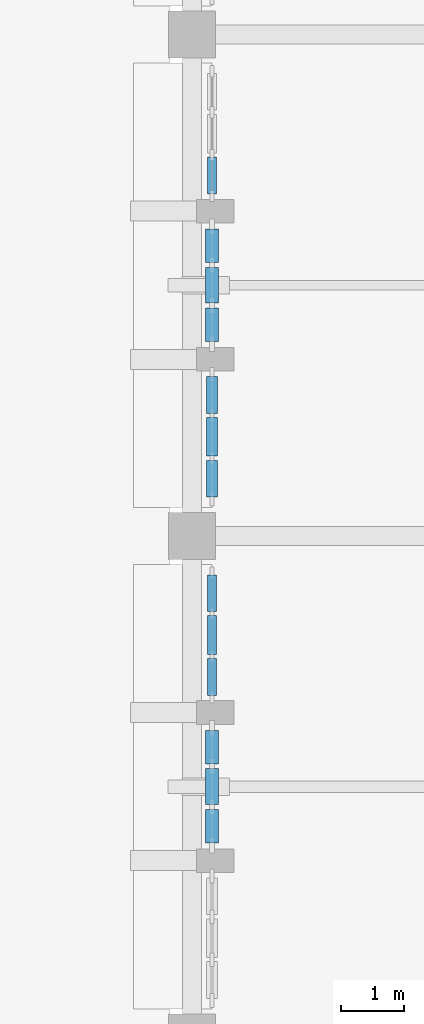
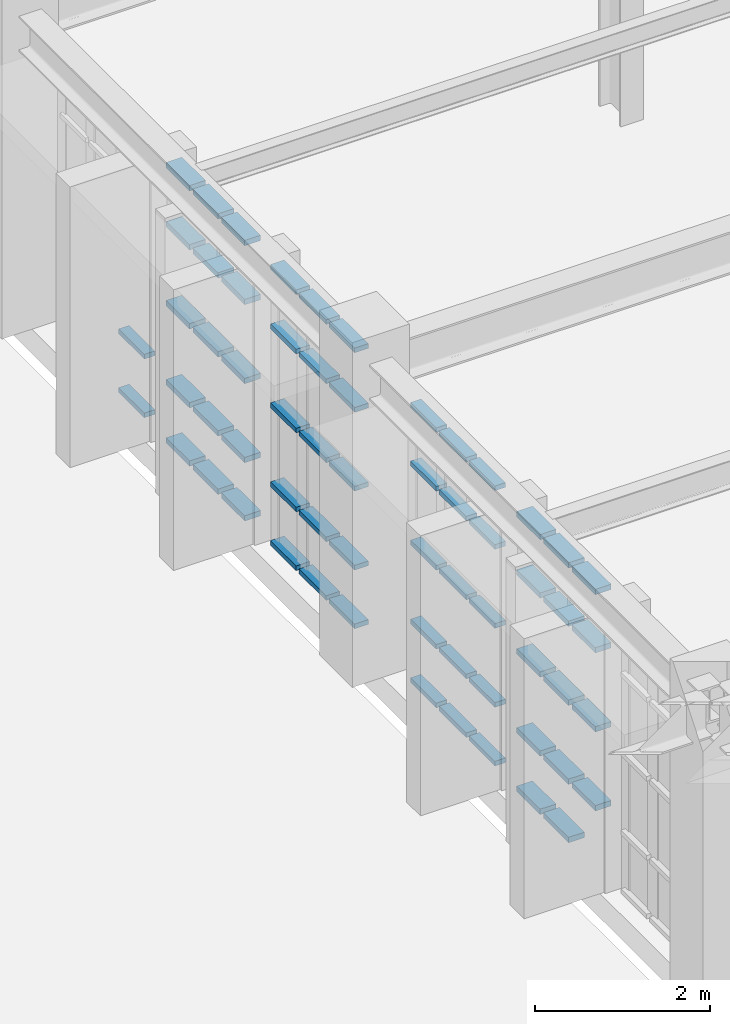
# One storey, part 80 of 155: 61 members, 5 elements without a shape of their own.
"""IFC4 building model written with IfcOpenShell, lengths in metres."""

from ifc_helpers import new_model, si_unit, direction, frame, origin, origin_2d, place, context, subcontext, project, spatial, rectangle, extrude, material, layer, layer_set, material_profile, profile_set, type_object, element, aggregate, save


model = new_model("IFC4")

# Units and contexts
model_context = context("Model", 3, precision=1e-05, world=origin(), true_north=direction((0.0, 1.0)))
body_context = subcontext(model_context, "Body", "Model", "MODEL_VIEW")
ifc_project = project(units=[si_unit("LENGTHUNIT", "METRE"), si_unit("AREAUNIT", "SQUARE_METRE"), si_unit("VOLUMEUNIT", "CUBIC_METRE"), si_unit("PLANEANGLEUNIT", "RADIAN"), si_unit("MASSUNIT", "GRAM", prefix="KILO")], contexts=[model_context])

# Site, building, storey
site_placement = place(None, origin())
site = spatial("IfcSite", under=ifc_project, at=site_placement, CompositionType="ELEMENT")
building_placement = place(site_placement, origin())
building = spatial("IfcBuilding", under=site, at=building_placement, Name="Tazarka Park Arena", CompositionType="ELEMENT")
storey_placement = place(building_placement, frame((0.0, 0.0, 5.39990234375)))
storey = spatial("IfcBuildingStorey", under=building, at=storey_placement, Name="L01", CompositionType="ELEMENT", Elevation=5.39990234375)

# Curtain wall, members
ifc_material_1 = material(Name="Aluminium and low-e glass", Category="aluminium")
ifc_layer_1 = layer(ifc_material_1, 0.179931640625, Name="Aluminium and low-e glass")
ifc_layer_set_1 = layer_set([ifc_layer_1], Name="Aluminium and low-e glass")
curtain_wall_type_1 = type_object("IfcCurtainWallType", Name="CW-03", PredefinedType="NOTDEFINED", material=ifc_layer_set_1)
curtain_wall_1_placement = place(storey_placement, origin())
curtain_wall_1 = element("IfcCurtainWall", 1, at=curtain_wall_1_placement, inside=storey, type_object=curtain_wall_type_1, Name="Curtain Wall CWA-L01-153", PredefinedType="NOTDEFINED")
ifc_material_2 = material(Name="Aluminium 6060-T66", Category="aluminium")
ifc_material_profile_1 = material_profile(ifc_material_2, rectangle(XDim=0.139892578125, YDim=0.06494140625, at=origin_2d()), Name="Aluminium 6060-T66")
ifc_profile_set_1 = profile_set([ifc_material_profile_1], Name="Aluminium 6060-T66")
member_type_1 = type_object("IfcMemberType", Name="CWT-01", PredefinedType="USERDEFINED", material=ifc_profile_set_1)
member_1_placement = place(storey_placement, frame((136.320068359375, 93.456787109375, 0.03271484375), z_axis=(0.0, 1.0, 0.0), x_axis=(-1.0, 0.0, 0.0)))
member_1 = element("IfcMember", 2, at=member_1_placement, type_object=member_type_1, Name="CW-03 transom 1.1", ObjectType="TRANSOM", PredefinedType="USERDEFINED", context=body_context, shape_type="SweptSolid", body=[
    extrude(rectangle(XDim=0.139892578125, YDim=0.06494140625, at=origin_2d()), origin(), (0.0, 0.0, 1.0), 0.5869140625),
])
member_2_placement = place(storey_placement, frame((136.320068359375, 93.456787109375, 0.85009765625), z_axis=(0.0, 1.0, 0.0), x_axis=(-1.0, 0.0, 0.0)))
member_2 = element("IfcMember", 3, at=member_2_placement, type_object=member_type_1, Name="CW-03 transom 1.2", ObjectType="TRANSOM", PredefinedType="USERDEFINED", context=body_context, shape_type="SweptSolid", body=[
    extrude(rectangle(XDim=0.139892578125, YDim=0.06494140625, at=origin_2d()), origin(), (0.0, 0.0, 1.0), 0.5869140625),
])
aggregate(curtain_wall_1, [member_1, member_2])

ifc_material_3 = material(Name="Aluminium and low-e glass", Category="aluminium")
ifc_layer_2 = layer(ifc_material_3, 0.179931640625, Name="Aluminium and low-e glass")
ifc_layer_set_2 = layer_set([ifc_layer_2], Name="Aluminium and low-e glass")
curtain_wall_type_2 = type_object("IfcCurtainWallType", Name="CW-06", PredefinedType="NOTDEFINED", material=ifc_layer_set_2)
curtain_wall_2_placement = place(storey_placement, origin())
curtain_wall_2 = element("IfcCurtainWall", 4, at=curtain_wall_2_placement, inside=storey, type_object=curtain_wall_type_2, Name="Curtain Wall CWA-L01-156", PredefinedType="NOTDEFINED")
member_3_placement = place(storey_placement, frame((136.320068359375, 85.456787109375, 0.03271484375), z_axis=(0.0, 1.0, 0.0), x_axis=(-1.0, 0.0, 0.0)))
member_3 = element("IfcMember", 5, at=member_3_placement, type_object=member_type_1, Name="CW-06 transom 1.1", ObjectType="TRANSOM", PredefinedType="USERDEFINED", context=body_context, shape_type="SweptSolid", body=[
    extrude(rectangle(XDim=0.139892578125, YDim=0.06494140625, at=origin_2d()), origin(), (0.0, 0.0, 1.0), 0.5869140625),
])
member_4_placement = place(storey_placement, frame((136.320068359375, 85.456787109375, 0.85009765625), z_axis=(0.0, 1.0, 0.0), x_axis=(-1.0, 0.0, 0.0)))
member_4 = element("IfcMember", 6, at=member_4_placement, type_object=member_type_1, Name="CW-06 transom 1.2", ObjectType="TRANSOM", PredefinedType="USERDEFINED", context=body_context, shape_type="SweptSolid", body=[
    extrude(rectangle(XDim=0.139892578125, YDim=0.06494140625, at=origin_2d()), origin(), (0.0, 0.0, 1.0), 0.5869140625),
])
member_5_placement = place(storey_placement, frame((136.320068359375, 85.456787109375, 1.9501953125), z_axis=(0.0, 1.0, 0.0), x_axis=(-1.0, 0.0, 0.0)))
member_5 = element("IfcMember", 7, at=member_5_placement, type_object=member_type_1, Name="CW-06 transom 1.3", ObjectType="TRANSOM", PredefinedType="USERDEFINED", context=body_context, shape_type="SweptSolid", body=[
    extrude(rectangle(XDim=0.139892578125, YDim=0.06494140625, at=origin_2d()), origin(), (0.0, 0.0, 1.0), 0.5869140625),
])
member_6_placement = place(storey_placement, frame((136.320068359375, 85.456787109375, 3.050048828125), z_axis=(0.0, 1.0, 0.0), x_axis=(-1.0, 0.0, 0.0)))
member_6 = element("IfcMember", 8, at=member_6_placement, type_object=member_type_1, Name="CW-06 transom 1.4", ObjectType="TRANSOM", PredefinedType="USERDEFINED", context=body_context, shape_type="SweptSolid", body=[
    extrude(rectangle(XDim=0.139892578125, YDim=0.06494140625, at=origin_2d()), origin(), (0.0, 0.0, 1.0), 0.5869140625),
])
member_7_placement = place(storey_placement, frame((136.320068359375, 85.456787109375, 3.86767578125), z_axis=(0.0, 1.0, 0.0), x_axis=(-1.0, 0.0, 0.0)))
member_7 = element("IfcMember", 9, at=member_7_placement, type_object=member_type_1, Name="CW-06 transom 1.5", ObjectType="TRANSOM", PredefinedType="USERDEFINED", context=body_context, shape_type="SweptSolid", body=[
    extrude(rectangle(XDim=0.139892578125, YDim=0.06494140625, at=origin_2d()), origin(), (0.0, 0.0, 1.0), 0.5869140625),
])
member_8_placement = place(storey_placement, frame((136.320068359375, 86.108642578125, 0.03271484375), z_axis=(0.0, 1.0, 0.0), x_axis=(-1.0, 0.0, 0.0)))
member_8 = element("IfcMember", 10, at=member_8_placement, type_object=member_type_1, Name="CW-06 transom 2.1", ObjectType="TRANSOM", PredefinedType="USERDEFINED", context=body_context, shape_type="SweptSolid", body=[
    extrude(rectangle(XDim=0.139892578125, YDim=0.06494140625, at=origin_2d()), origin(), (0.0, 0.0, 1.0), 0.619384765625),
])
member_9_placement = place(storey_placement, frame((136.320068359375, 86.108642578125, 0.85009765625), z_axis=(0.0, 1.0, 0.0), x_axis=(-1.0, 0.0, 0.0)))
member_9 = element("IfcMember", 11, at=member_9_placement, type_object=member_type_1, Name="CW-06 transom 2.2", ObjectType="TRANSOM", PredefinedType="USERDEFINED", context=body_context, shape_type="SweptSolid", body=[
    extrude(rectangle(XDim=0.139892578125, YDim=0.06494140625, at=origin_2d()), origin(), (0.0, 0.0, 1.0), 0.619384765625),
])
member_10_placement = place(storey_placement, frame((136.320068359375, 86.108642578125, 1.9501953125), z_axis=(0.0, 1.0, 0.0), x_axis=(-1.0, 0.0, 0.0)))
member_10 = element("IfcMember", 12, at=member_10_placement, type_object=member_type_1, Name="CW-06 transom 2.3", ObjectType="TRANSOM", PredefinedType="USERDEFINED", context=body_context, shape_type="SweptSolid", body=[
    extrude(rectangle(XDim=0.139892578125, YDim=0.06494140625, at=origin_2d()), origin(), (0.0, 0.0, 1.0), 0.619384765625),
])
member_11_placement = place(storey_placement, frame((136.320068359375, 86.108642578125, 3.050048828125), z_axis=(0.0, 1.0, 0.0), x_axis=(-1.0, 0.0, 0.0)))
member_11 = element("IfcMember", 13, at=member_11_placement, type_object=member_type_1, Name="CW-06 transom 2.4", ObjectType="TRANSOM", PredefinedType="USERDEFINED", context=body_context, shape_type="SweptSolid", body=[
    extrude(rectangle(XDim=0.139892578125, YDim=0.06494140625, at=origin_2d()), origin(), (0.0, 0.0, 1.0), 0.619384765625),
])
member_12_placement = place(storey_placement, frame((136.320068359375, 86.108642578125, 3.86767578125), z_axis=(0.0, 1.0, 0.0), x_axis=(-1.0, 0.0, 0.0)))
member_12 = element("IfcMember", 14, at=member_12_placement, type_object=member_type_1, Name="CW-06 transom 2.5", ObjectType="TRANSOM", PredefinedType="USERDEFINED", context=body_context, shape_type="SweptSolid", body=[
    extrude(rectangle(XDim=0.139892578125, YDim=0.06494140625, at=origin_2d()), origin(), (0.0, 0.0, 1.0), 0.619384765625),
])
member_13_placement = place(storey_placement, frame((136.320068359375, 86.79296875, 0.03271484375), z_axis=(0.0, 1.0, 0.0), x_axis=(-1.0, 0.0, 0.0)))
member_13 = element("IfcMember", 15, at=member_13_placement, type_object=member_type_1, Name="CW-06 transom 3.1", ObjectType="TRANSOM", PredefinedType="USERDEFINED", context=body_context, shape_type="SweptSolid", body=[
    extrude(rectangle(XDim=0.139892578125, YDim=0.06494140625, at=origin_2d()), origin(), (0.0, 0.0, 1.0), 0.5869140625),
])
member_14_placement = place(storey_placement, frame((136.320068359375, 86.79296875, 0.85009765625), z_axis=(0.0, 1.0, 0.0), x_axis=(-1.0, 0.0, 0.0)))
member_14 = element("IfcMember", 16, at=member_14_placement, type_object=member_type_1, Name="CW-06 transom 3.2", ObjectType="TRANSOM", PredefinedType="USERDEFINED", context=body_context, shape_type="SweptSolid", body=[
    extrude(rectangle(XDim=0.139892578125, YDim=0.06494140625, at=origin_2d()), origin(), (0.0, 0.0, 1.0), 0.5869140625),
])
member_15_placement = place(storey_placement, frame((136.320068359375, 86.79296875, 1.9501953125), z_axis=(0.0, 1.0, 0.0), x_axis=(-1.0, 0.0, 0.0)))
member_15 = element("IfcMember", 17, at=member_15_placement, type_object=member_type_1, Name="CW-06 transom 3.3", ObjectType="TRANSOM", PredefinedType="USERDEFINED", context=body_context, shape_type="SweptSolid", body=[
    extrude(rectangle(XDim=0.139892578125, YDim=0.06494140625, at=origin_2d()), origin(), (0.0, 0.0, 1.0), 0.5869140625),
])
member_16_placement = place(storey_placement, frame((136.320068359375, 86.79296875, 3.050048828125), z_axis=(0.0, 1.0, 0.0), x_axis=(-1.0, 0.0, 0.0)))
member_16 = element("IfcMember", 18, at=member_16_placement, type_object=member_type_1, Name="CW-06 transom 3.4", ObjectType="TRANSOM", PredefinedType="USERDEFINED", context=body_context, shape_type="SweptSolid", body=[
    extrude(rectangle(XDim=0.139892578125, YDim=0.06494140625, at=origin_2d()), origin(), (0.0, 0.0, 1.0), 0.5869140625),
])
member_17_placement = place(storey_placement, frame((136.320068359375, 86.79296875, 3.86767578125), z_axis=(0.0, 1.0, 0.0), x_axis=(-1.0, 0.0, 0.0)))
member_17 = element("IfcMember", 19, at=member_17_placement, type_object=member_type_1, Name="CW-06 transom 3.5", ObjectType="TRANSOM", PredefinedType="USERDEFINED", context=body_context, shape_type="SweptSolid", body=[
    extrude(rectangle(XDim=0.139892578125, YDim=0.06494140625, at=origin_2d()), origin(), (0.0, 0.0, 1.0), 0.5869140625),
])
aggregate(curtain_wall_2, [member_3, member_4, member_5, member_6, member_7, member_8, member_9, member_10, member_11, member_12, member_13, member_14, member_15, member_16, member_17])

ifc_material_4 = material(Name="Aluminium and low-e glass", Category="aluminium")
ifc_layer_3 = layer(ifc_material_4, 0.179931640625, Name="Aluminium and low-e glass")
ifc_layer_set_3 = layer_set([ifc_layer_3], Name="Aluminium and low-e glass")
curtain_wall_type_3 = type_object("IfcCurtainWallType", Name="CW-01", PredefinedType="NOTDEFINED", material=ifc_layer_set_3)
curtain_wall_3_placement = place(storey_placement, origin())
curtain_wall_3 = element("IfcCurtainWall", 20, at=curtain_wall_3_placement, inside=storey, type_object=curtain_wall_type_3, Name="Curtain Wall CWA-L01-151", PredefinedType="NOTDEFINED")
ifc_material_5 = material(Name="Aluminium 6060-T66", Category="aluminium")
ifc_material_profile_2 = material_profile(ifc_material_5, rectangle(XDim=0.179931640625, YDim=0.06494140625, at=origin_2d()), Name="Aluminium 6060-T66")
ifc_profile_set_2 = profile_set([ifc_material_profile_2], Name="Aluminium 6060-T66")
member_type_2 = type_object("IfcMemberType", Name="CWT-02", PredefinedType="USERDEFINED", material=ifc_profile_set_2)
member_18_placement = place(storey_placement, frame((136.320068359375, 88.6201171875, 0.03271484375), z_axis=(0.0, 1.0, 0.0), x_axis=(-1.0, 0.0, 0.0)))
member_18 = element("IfcMember", 21, at=member_18_placement, type_object=member_type_2, Name="CW-01 transom 1.1", ObjectType="TRANSOM", PredefinedType="USERDEFINED", context=body_context, shape_type="SweptSolid", body=[
    extrude(rectangle(XDim=0.179931640625, YDim=0.06494140625, at=origin_2d()), origin(), (0.0, 0.0, 1.0), 0.5869140625),
])
member_19_placement = place(storey_placement, frame((136.320068359375, 88.6201171875, 0.85009765625), z_axis=(0.0, 1.0, 0.0), x_axis=(-1.0, 0.0, 0.0)))
member_19 = element("IfcMember", 22, at=member_19_placement, type_object=member_type_2, Name="CW-01 transom 1.2", ObjectType="TRANSOM", PredefinedType="USERDEFINED", context=body_context, shape_type="SweptSolid", body=[
    extrude(rectangle(XDim=0.179931640625, YDim=0.06494140625, at=origin_2d()), origin(), (0.0, 0.0, 1.0), 0.5869140625),
])
member_20_placement = place(storey_placement, frame((136.320068359375, 88.6201171875, 1.9501953125), z_axis=(0.0, 1.0, 0.0), x_axis=(-1.0, 0.0, 0.0)))
member_20 = element("IfcMember", 23, at=member_20_placement, type_object=member_type_2, Name="CW-01 transom 1.3", ObjectType="TRANSOM", PredefinedType="USERDEFINED", context=body_context, shape_type="SweptSolid", body=[
    extrude(rectangle(XDim=0.179931640625, YDim=0.06494140625, at=origin_2d()), origin(), (0.0, 0.0, 1.0), 0.5869140625),
])
member_21_placement = place(storey_placement, frame((136.320068359375, 88.6201171875, 3.050048828125), z_axis=(0.0, 1.0, 0.0), x_axis=(-1.0, 0.0, 0.0)))
member_21 = element("IfcMember", 24, at=member_21_placement, type_object=member_type_2, Name="CW-01 transom 1.4", ObjectType="TRANSOM", PredefinedType="USERDEFINED", context=body_context, shape_type="SweptSolid", body=[
    extrude(rectangle(XDim=0.179931640625, YDim=0.06494140625, at=origin_2d()), origin(), (0.0, 0.0, 1.0), 0.5869140625),
])
member_22_placement = place(storey_placement, frame((136.320068359375, 88.6201171875, 3.877685546875), z_axis=(0.0, 1.0, 0.0), x_axis=(-1.0, 0.0, 0.0)))
member_22 = element("IfcMember", 25, at=member_22_placement, type_object=member_type_2, Name="CW-01 transom 1.5", ObjectType="TRANSOM", PredefinedType="USERDEFINED", context=body_context, shape_type="SweptSolid", body=[
    extrude(rectangle(XDim=0.179931640625, YDim=0.06494140625, at=origin_2d()), origin(), (0.0, 0.0, 1.0), 0.5869140625),
])
member_23_placement = place(storey_placement, frame((136.320068359375, 89.27197265625, 0.03271484375), z_axis=(0.0, 1.0, 0.0), x_axis=(-1.0, 0.0, 0.0)))
member_23 = element("IfcMember", 26, at=member_23_placement, type_object=member_type_2, Name="CW-01 transom 2.1", ObjectType="TRANSOM", PredefinedType="USERDEFINED", context=body_context, shape_type="SweptSolid", body=[
    extrude(rectangle(XDim=0.179931640625, YDim=0.06494140625, at=origin_2d()), origin(), (0.0, 0.0, 1.0), 0.619384765625),
])
member_24_placement = place(storey_placement, frame((136.320068359375, 89.27197265625, 0.85009765625), z_axis=(0.0, 1.0, 0.0), x_axis=(-1.0, 0.0, 0.0)))
member_24 = element("IfcMember", 27, at=member_24_placement, type_object=member_type_2, Name="CW-01 transom 2.2", ObjectType="TRANSOM", PredefinedType="USERDEFINED", context=body_context, shape_type="SweptSolid", body=[
    extrude(rectangle(XDim=0.179931640625, YDim=0.06494140625, at=origin_2d()), origin(), (0.0, 0.0, 1.0), 0.619384765625),
])
member_25_placement = place(storey_placement, frame((136.320068359375, 89.27197265625, 1.9501953125), z_axis=(0.0, 1.0, 0.0), x_axis=(-1.0, 0.0, 0.0)))
member_25 = element("IfcMember", 28, at=member_25_placement, type_object=member_type_2, Name="CW-01 transom 2.3", ObjectType="TRANSOM", PredefinedType="USERDEFINED", context=body_context, shape_type="SweptSolid", body=[
    extrude(rectangle(XDim=0.179931640625, YDim=0.06494140625, at=origin_2d()), origin(), (0.0, 0.0, 1.0), 0.619384765625),
])
member_26_placement = place(storey_placement, frame((136.320068359375, 89.27197265625, 3.050048828125), z_axis=(0.0, 1.0, 0.0), x_axis=(-1.0, 0.0, 0.0)))
member_26 = element("IfcMember", 29, at=member_26_placement, type_object=member_type_2, Name="CW-01 transom 2.4", ObjectType="TRANSOM", PredefinedType="USERDEFINED", context=body_context, shape_type="SweptSolid", body=[
    extrude(rectangle(XDim=0.179931640625, YDim=0.06494140625, at=origin_2d()), origin(), (0.0, 0.0, 1.0), 0.619384765625),
])
member_27_placement = place(storey_placement, frame((136.320068359375, 89.27197265625, 3.877685546875), z_axis=(0.0, 1.0, 0.0), x_axis=(-1.0, 0.0, 0.0)))
member_27 = element("IfcMember", 30, at=member_27_placement, type_object=member_type_2, Name="CW-01 transom 2.5", ObjectType="TRANSOM", PredefinedType="USERDEFINED", context=body_context, shape_type="SweptSolid", body=[
    extrude(rectangle(XDim=0.179931640625, YDim=0.06494140625, at=origin_2d()), origin(), (0.0, 0.0, 1.0), 0.619384765625),
])
member_28_placement = place(storey_placement, frame((136.320068359375, 89.956298828125, 0.03271484375), z_axis=(0.0, 1.0, 0.0), x_axis=(-1.0, 0.0, 0.0)))
member_28 = element("IfcMember", 31, at=member_28_placement, type_object=member_type_2, Name="CW-01 transom 3.1", ObjectType="TRANSOM", PredefinedType="USERDEFINED", context=body_context, shape_type="SweptSolid", body=[
    extrude(rectangle(XDim=0.179931640625, YDim=0.06494140625, at=origin_2d()), origin(), (0.0, 0.0, 1.0), 0.5869140625),
])
member_29_placement = place(storey_placement, frame((136.320068359375, 89.956298828125, 0.85009765625), z_axis=(0.0, 1.0, 0.0), x_axis=(-1.0, 0.0, 0.0)))
member_29 = element("IfcMember", 32, at=member_29_placement, type_object=member_type_2, Name="CW-01 transom 3.2", ObjectType="TRANSOM", PredefinedType="USERDEFINED", context=body_context, shape_type="SweptSolid", body=[
    extrude(rectangle(XDim=0.179931640625, YDim=0.06494140625, at=origin_2d()), origin(), (0.0, 0.0, 1.0), 0.5869140625),
])
member_30_placement = place(storey_placement, frame((136.320068359375, 89.956298828125, 1.9501953125), z_axis=(0.0, 1.0, 0.0), x_axis=(-1.0, 0.0, 0.0)))
member_30 = element("IfcMember", 33, at=member_30_placement, type_object=member_type_2, Name="CW-01 transom 3.3", ObjectType="TRANSOM", PredefinedType="USERDEFINED", context=body_context, shape_type="SweptSolid", body=[
    extrude(rectangle(XDim=0.179931640625, YDim=0.06494140625, at=origin_2d()), origin(), (0.0, 0.0, 1.0), 0.5869140625),
])
member_31_placement = place(storey_placement, frame((136.320068359375, 89.956298828125, 3.050048828125), z_axis=(0.0, 1.0, 0.0), x_axis=(-1.0, 0.0, 0.0)))
member_31 = element("IfcMember", 34, at=member_31_placement, type_object=member_type_2, Name="CW-01 transom 3.4", ObjectType="TRANSOM", PredefinedType="USERDEFINED", context=body_context, shape_type="SweptSolid", body=[
    extrude(rectangle(XDim=0.179931640625, YDim=0.06494140625, at=origin_2d()), origin(), (0.0, 0.0, 1.0), 0.5869140625),
])
member_32_placement = place(storey_placement, frame((136.320068359375, 89.956298828125, 3.877685546875), z_axis=(0.0, 1.0, 0.0), x_axis=(-1.0, 0.0, 0.0)))
member_32 = element("IfcMember", 35, at=member_32_placement, type_object=member_type_2, Name="CW-01 transom 3.5", ObjectType="TRANSOM", PredefinedType="USERDEFINED", context=body_context, shape_type="SweptSolid", body=[
    extrude(rectangle(XDim=0.179931640625, YDim=0.06494140625, at=origin_2d()), origin(), (0.0, 0.0, 1.0), 0.5869140625),
])
aggregate(curtain_wall_3, [member_18, member_19, member_20, member_21, member_22, member_23, member_24, member_25, member_26, member_27, member_28, member_29, member_30, member_31, member_32])

ifc_material_6 = material(Name="Aluminium and low-e glass", Category="aluminium")
ifc_layer_4 = layer(ifc_material_6, 0.179931640625, Name="Aluminium and low-e glass")
ifc_layer_set_4 = layer_set([ifc_layer_4], Name="Aluminium and low-e glass")
curtain_wall_type_4 = type_object("IfcCurtainWallType", Name="CW-02", PredefinedType="NOTDEFINED", material=ifc_layer_set_4)
curtain_wall_4_placement = place(storey_placement, origin())
curtain_wall_4 = element("IfcCurtainWall", 36, at=curtain_wall_4_placement, inside=storey, type_object=curtain_wall_type_4, Name="Curtain Wall CWA-L01-152", PredefinedType="NOTDEFINED")
ifc_material_7 = material(Name="Aluminium 6060-T66", Category="aluminium")
ifc_material_profile_3 = material_profile(ifc_material_7, rectangle(XDim=0.2099609375, YDim=0.074951171875, at=origin_2d()), Name="Aluminium 6060-T66")
ifc_profile_set_3 = profile_set([ifc_material_profile_3], Name="Aluminium 6060-T66")
member_type_3 = type_object("IfcMemberType", Name="CWT-03", PredefinedType="USERDEFINED", material=ifc_profile_set_3)
member_33_placement = place(storey_placement, frame((136.320068359375, 91.103271484375, 0.03759765625), z_axis=(0.0, 1.0, 0.0), x_axis=(-1.0, 0.0, 0.0)))
member_33 = element("IfcMember", 37, at=member_33_placement, type_object=member_type_3, Name="CW-02 transom 1.1", ObjectType="TRANSOM", PredefinedType="USERDEFINED", context=body_context, shape_type="SweptSolid", body=[
    extrude(rectangle(XDim=0.2099609375, YDim=0.074951171875, at=origin_2d()), origin(), (0.0, 0.0, 1.0), 0.535400390625),
])
member_34_placement = place(storey_placement, frame((136.320068359375, 91.103271484375, 0.85009765625), z_axis=(0.0, 1.0, 0.0), x_axis=(-1.0, 0.0, 0.0)))
member_34 = element("IfcMember", 38, at=member_34_placement, type_object=member_type_3, Name="CW-02 transom 1.2", ObjectType="TRANSOM", PredefinedType="USERDEFINED", context=body_context, shape_type="SweptSolid", body=[
    extrude(rectangle(XDim=0.2099609375, YDim=0.074951171875, at=origin_2d()), origin(), (0.0, 0.0, 1.0), 0.535400390625),
])
member_35_placement = place(storey_placement, frame((136.320068359375, 91.103271484375, 1.9501953125), z_axis=(0.0, 1.0, 0.0), x_axis=(-1.0, 0.0, 0.0)))
member_35 = element("IfcMember", 39, at=member_35_placement, type_object=member_type_3, Name="CW-02 transom 1.3", ObjectType="TRANSOM", PredefinedType="USERDEFINED", context=body_context, shape_type="SweptSolid", body=[
    extrude(rectangle(XDim=0.2099609375, YDim=0.074951171875, at=origin_2d()), origin(), (0.0, 0.0, 1.0), 0.535400390625),
])
member_36_placement = place(storey_placement, frame((136.320068359375, 91.103271484375, 3.050048828125), z_axis=(0.0, 1.0, 0.0), x_axis=(-1.0, 0.0, 0.0)))
member_36 = element("IfcMember", 40, at=member_36_placement, type_object=member_type_3, Name="CW-02 transom 1.4", ObjectType="TRANSOM", PredefinedType="USERDEFINED", context=body_context, shape_type="SweptSolid", body=[
    extrude(rectangle(XDim=0.2099609375, YDim=0.074951171875, at=origin_2d()), origin(), (0.0, 0.0, 1.0), 0.535400390625),
])
member_37_placement = place(storey_placement, frame((136.320068359375, 91.103271484375, 3.87255859375), z_axis=(0.0, 1.0, 0.0), x_axis=(-1.0, 0.0, 0.0)))
member_37 = element("IfcMember", 41, at=member_37_placement, type_object=member_type_3, Name="CW-02 transom 1.5", ObjectType="TRANSOM", PredefinedType="USERDEFINED", context=body_context, shape_type="SweptSolid", body=[
    extrude(rectangle(XDim=0.2099609375, YDim=0.074951171875, at=origin_2d()), origin(), (0.0, 0.0, 1.0), 0.535400390625),
])
member_38_placement = place(storey_placement, frame((136.320068359375, 91.713623046875, 0.03759765625), z_axis=(0.0, 1.0, 0.0), x_axis=(-1.0, 0.0, 0.0)))
member_38 = element("IfcMember", 42, at=member_38_placement, type_object=member_type_3, Name="CW-02 transom 2.1", ObjectType="TRANSOM", PredefinedType="USERDEFINED", context=body_context, shape_type="SweptSolid", body=[
    extrude(rectangle(XDim=0.2099609375, YDim=0.074951171875, at=origin_2d()), origin(), (0.0, 0.0, 1.0), 0.57275390625),
])
member_39_placement = place(storey_placement, frame((136.320068359375, 91.713623046875, 0.85009765625), z_axis=(0.0, 1.0, 0.0), x_axis=(-1.0, 0.0, 0.0)))
member_39 = element("IfcMember", 43, at=member_39_placement, type_object=member_type_3, Name="CW-02 transom 2.2", ObjectType="TRANSOM", PredefinedType="USERDEFINED", context=body_context, shape_type="SweptSolid", body=[
    extrude(rectangle(XDim=0.2099609375, YDim=0.074951171875, at=origin_2d()), origin(), (0.0, 0.0, 1.0), 0.57275390625),
])
member_40_placement = place(storey_placement, frame((136.320068359375, 91.713623046875, 1.9501953125), z_axis=(0.0, 1.0, 0.0), x_axis=(-1.0, 0.0, 0.0)))
member_40 = element("IfcMember", 44, at=member_40_placement, type_object=member_type_3, Name="CW-02 transom 2.3", ObjectType="TRANSOM", PredefinedType="USERDEFINED", context=body_context, shape_type="SweptSolid", body=[
    extrude(rectangle(XDim=0.2099609375, YDim=0.074951171875, at=origin_2d()), origin(), (0.0, 0.0, 1.0), 0.57275390625),
])
member_41_placement = place(storey_placement, frame((136.320068359375, 91.713623046875, 3.050048828125), z_axis=(0.0, 1.0, 0.0), x_axis=(-1.0, 0.0, 0.0)))
member_41 = element("IfcMember", 45, at=member_41_placement, type_object=member_type_3, Name="CW-02 transom 2.4", ObjectType="TRANSOM", PredefinedType="USERDEFINED", context=body_context, shape_type="SweptSolid", body=[
    extrude(rectangle(XDim=0.2099609375, YDim=0.074951171875, at=origin_2d()), origin(), (0.0, 0.0, 1.0), 0.57275390625),
])
member_42_placement = place(storey_placement, frame((136.320068359375, 91.713623046875, 3.87255859375), z_axis=(0.0, 1.0, 0.0), x_axis=(-1.0, 0.0, 0.0)))
member_42 = element("IfcMember", 46, at=member_42_placement, type_object=member_type_3, Name="CW-02 transom 2.5", ObjectType="TRANSOM", PredefinedType="USERDEFINED", context=body_context, shape_type="SweptSolid", body=[
    extrude(rectangle(XDim=0.2099609375, YDim=0.074951171875, at=origin_2d()), origin(), (0.0, 0.0, 1.0), 0.57275390625),
])
member_43_placement = place(storey_placement, frame((136.320068359375, 92.361328125, 0.03759765625), z_axis=(0.0, 1.0, 0.0), x_axis=(-1.0, 0.0, 0.0)))
member_43 = element("IfcMember", 47, at=member_43_placement, type_object=member_type_3, Name="CW-02 transom 3.1", ObjectType="TRANSOM", PredefinedType="USERDEFINED", context=body_context, shape_type="SweptSolid", body=[
    extrude(rectangle(XDim=0.2099609375, YDim=0.074951171875, at=origin_2d()), origin(), (0.0, 0.0, 1.0), 0.535400390625),
])
member_44_placement = place(storey_placement, frame((136.320068359375, 92.361328125, 0.85009765625), z_axis=(0.0, 1.0, 0.0), x_axis=(-1.0, 0.0, 0.0)))
member_44 = element("IfcMember", 48, at=member_44_placement, type_object=member_type_3, Name="CW-02 transom 3.2", ObjectType="TRANSOM", PredefinedType="USERDEFINED", context=body_context, shape_type="SweptSolid", body=[
    extrude(rectangle(XDim=0.2099609375, YDim=0.074951171875, at=origin_2d()), origin(), (0.0, 0.0, 1.0), 0.535400390625),
])
member_45_placement = place(storey_placement, frame((136.320068359375, 92.361328125, 1.9501953125), z_axis=(0.0, 1.0, 0.0), x_axis=(-1.0, 0.0, 0.0)))
member_45 = element("IfcMember", 49, at=member_45_placement, type_object=member_type_3, Name="CW-02 transom 3.3", ObjectType="TRANSOM", PredefinedType="USERDEFINED", context=body_context, shape_type="SweptSolid", body=[
    extrude(rectangle(XDim=0.2099609375, YDim=0.074951171875, at=origin_2d()), origin(), (0.0, 0.0, 1.0), 0.535400390625),
])
member_46_placement = place(storey_placement, frame((136.320068359375, 92.361328125, 3.050048828125), z_axis=(0.0, 1.0, 0.0), x_axis=(-1.0, 0.0, 0.0)))
member_46 = element("IfcMember", 50, at=member_46_placement, type_object=member_type_3, Name="CW-02 transom 3.4", ObjectType="TRANSOM", PredefinedType="USERDEFINED", context=body_context, shape_type="SweptSolid", body=[
    extrude(rectangle(XDim=0.2099609375, YDim=0.074951171875, at=origin_2d()), origin(), (0.0, 0.0, 1.0), 0.535400390625),
])
member_47_placement = place(storey_placement, frame((136.320068359375, 92.361328125, 3.87255859375), z_axis=(0.0, 1.0, 0.0), x_axis=(-1.0, 0.0, 0.0)))
member_47 = element("IfcMember", 51, at=member_47_placement, type_object=member_type_3, Name="CW-02 transom 3.5", ObjectType="TRANSOM", PredefinedType="USERDEFINED", context=body_context, shape_type="SweptSolid", body=[
    extrude(rectangle(XDim=0.2099609375, YDim=0.074951171875, at=origin_2d()), origin(), (0.0, 0.0, 1.0), 0.535400390625),
])
aggregate(curtain_wall_4, [member_33, member_34, member_35, member_36, member_37, member_38, member_39, member_40, member_41, member_42, member_43, member_44, member_45, member_46, member_47])

ifc_material_8 = material(Name="Aluminium and low-e glass", Category="aluminium")
ifc_layer_5 = layer(ifc_material_8, 0.179931640625, Name="Aluminium and low-e glass")
ifc_layer_set_5 = layer_set([ifc_layer_5], Name="Aluminium and low-e glass")
curtain_wall_type_5 = type_object("IfcCurtainWallType", Name="CW-05", PredefinedType="NOTDEFINED", material=ifc_layer_set_5)
curtain_wall_5_placement = place(storey_placement, origin())
curtain_wall_5 = element("IfcCurtainWall", 52, at=curtain_wall_5_placement, inside=storey, type_object=curtain_wall_type_5, Name="Curtain Wall CWA-L01-155", PredefinedType="NOTDEFINED")
member_48_placement = place(storey_placement, frame((136.320068359375, 83.103271484375, 0.85009765625), z_axis=(0.0, 1.0, 0.0), x_axis=(-1.0, 0.0, 0.0)))
member_48 = element("IfcMember", 53, at=member_48_placement, type_object=member_type_3, Name="CW-05 transom 1.2", ObjectType="TRANSOM", PredefinedType="USERDEFINED", context=body_context, shape_type="SweptSolid", body=[
    extrude(rectangle(XDim=0.2099609375, YDim=0.074951171875, at=origin_2d()), origin(), (0.0, 0.0, 1.0), 0.535400390625),
])
member_49_placement = place(storey_placement, frame((136.320068359375, 83.103271484375, 1.9501953125), z_axis=(0.0, 1.0, 0.0), x_axis=(-1.0, 0.0, 0.0)))
member_49 = element("IfcMember", 54, at=member_49_placement, type_object=member_type_3, Name="CW-05 transom 1.3", ObjectType="TRANSOM", PredefinedType="USERDEFINED", context=body_context, shape_type="SweptSolid", body=[
    extrude(rectangle(XDim=0.2099609375, YDim=0.074951171875, at=origin_2d()), origin(), (0.0, 0.0, 1.0), 0.535400390625),
])
member_50_placement = place(storey_placement, frame((136.320068359375, 83.103271484375, 3.050048828125), z_axis=(0.0, 1.0, 0.0), x_axis=(-1.0, 0.0, 0.0)))
member_50 = element("IfcMember", 55, at=member_50_placement, type_object=member_type_3, Name="CW-05 transom 1.4", ObjectType="TRANSOM", PredefinedType="USERDEFINED", context=body_context, shape_type="SweptSolid", body=[
    extrude(rectangle(XDim=0.2099609375, YDim=0.074951171875, at=origin_2d()), origin(), (0.0, 0.0, 1.0), 0.535400390625),
])
member_51_placement = place(storey_placement, frame((136.320068359375, 83.103271484375, 3.862548828125), z_axis=(0.0, 1.0, 0.0), x_axis=(-1.0, 0.0, 0.0)))
member_51 = element("IfcMember", 56, at=member_51_placement, type_object=member_type_3, Name="CW-05 transom 1.5", ObjectType="TRANSOM", PredefinedType="USERDEFINED", context=body_context, shape_type="SweptSolid", body=[
    extrude(rectangle(XDim=0.2099609375, YDim=0.074951171875, at=origin_2d()), origin(), (0.0, 0.0, 1.0), 0.535400390625),
])
member_52_placement = place(storey_placement, frame((136.320068359375, 83.713623046875, 0.03759765625), z_axis=(0.0, 1.0, 0.0), x_axis=(-1.0, 0.0, 0.0)))
member_52 = element("IfcMember", 57, at=member_52_placement, type_object=member_type_3, Name="CW-05 transom 2.1", ObjectType="TRANSOM", PredefinedType="USERDEFINED", context=body_context, shape_type="SweptSolid", body=[
    extrude(rectangle(XDim=0.2099609375, YDim=0.074951171875, at=origin_2d()), origin(), (0.0, 0.0, 1.0), 0.57275390625),
])
member_53_placement = place(storey_placement, frame((136.320068359375, 83.713623046875, 0.85009765625), z_axis=(0.0, 1.0, 0.0), x_axis=(-1.0, 0.0, 0.0)))
member_53 = element("IfcMember", 58, at=member_53_placement, type_object=member_type_3, Name="CW-05 transom 2.2", ObjectType="TRANSOM", PredefinedType="USERDEFINED", context=body_context, shape_type="SweptSolid", body=[
    extrude(rectangle(XDim=0.2099609375, YDim=0.074951171875, at=origin_2d()), origin(), (0.0, 0.0, 1.0), 0.57275390625),
])
member_54_placement = place(storey_placement, frame((136.320068359375, 83.713623046875, 1.9501953125), z_axis=(0.0, 1.0, 0.0), x_axis=(-1.0, 0.0, 0.0)))
member_54 = element("IfcMember", 59, at=member_54_placement, type_object=member_type_3, Name="CW-05 transom 2.3", ObjectType="TRANSOM", PredefinedType="USERDEFINED", context=body_context, shape_type="SweptSolid", body=[
    extrude(rectangle(XDim=0.2099609375, YDim=0.074951171875, at=origin_2d()), origin(), (0.0, 0.0, 1.0), 0.57275390625),
])
member_55_placement = place(storey_placement, frame((136.320068359375, 83.713623046875, 3.050048828125), z_axis=(0.0, 1.0, 0.0), x_axis=(-1.0, 0.0, 0.0)))
member_55 = element("IfcMember", 60, at=member_55_placement, type_object=member_type_3, Name="CW-05 transom 2.4", ObjectType="TRANSOM", PredefinedType="USERDEFINED", context=body_context, shape_type="SweptSolid", body=[
    extrude(rectangle(XDim=0.2099609375, YDim=0.074951171875, at=origin_2d()), origin(), (0.0, 0.0, 1.0), 0.57275390625),
])
member_56_placement = place(storey_placement, frame((136.320068359375, 83.713623046875, 3.862548828125), z_axis=(0.0, 1.0, 0.0), x_axis=(-1.0, 0.0, 0.0)))
member_56 = element("IfcMember", 61, at=member_56_placement, type_object=member_type_3, Name="CW-05 transom 2.5", ObjectType="TRANSOM", PredefinedType="USERDEFINED", context=body_context, shape_type="SweptSolid", body=[
    extrude(rectangle(XDim=0.2099609375, YDim=0.074951171875, at=origin_2d()), origin(), (0.0, 0.0, 1.0), 0.57275390625),
])
member_57_placement = place(storey_placement, frame((136.320068359375, 84.361328125, 0.03759765625), z_axis=(0.0, 1.0, 0.0), x_axis=(-1.0, 0.0, 0.0)))
member_57 = element("IfcMember", 62, at=member_57_placement, type_object=member_type_3, Name="CW-05 transom 3.1", ObjectType="TRANSOM", PredefinedType="USERDEFINED", context=body_context, shape_type="SweptSolid", body=[
    extrude(rectangle(XDim=0.2099609375, YDim=0.074951171875, at=origin_2d()), origin(), (0.0, 0.0, 1.0), 0.535400390625),
])
member_58_placement = place(storey_placement, frame((136.320068359375, 84.361328125, 0.85009765625), z_axis=(0.0, 1.0, 0.0), x_axis=(-1.0, 0.0, 0.0)))
member_58 = element("IfcMember", 63, at=member_58_placement, type_object=member_type_3, Name="CW-05 transom 3.2", ObjectType="TRANSOM", PredefinedType="USERDEFINED", context=body_context, shape_type="SweptSolid", body=[
    extrude(rectangle(XDim=0.2099609375, YDim=0.074951171875, at=origin_2d()), origin(), (0.0, 0.0, 1.0), 0.535400390625),
])
member_59_placement = place(storey_placement, frame((136.320068359375, 84.361328125, 1.9501953125), z_axis=(0.0, 1.0, 0.0), x_axis=(-1.0, 0.0, 0.0)))
member_59 = element("IfcMember", 64, at=member_59_placement, type_object=member_type_3, Name="CW-05 transom 3.3", ObjectType="TRANSOM", PredefinedType="USERDEFINED", context=body_context, shape_type="SweptSolid", body=[
    extrude(rectangle(XDim=0.2099609375, YDim=0.074951171875, at=origin_2d()), origin(), (0.0, 0.0, 1.0), 0.535400390625),
])
member_60_placement = place(storey_placement, frame((136.320068359375, 84.361328125, 3.050048828125), z_axis=(0.0, 1.0, 0.0), x_axis=(-1.0, 0.0, 0.0)))
member_60 = element("IfcMember", 65, at=member_60_placement, type_object=member_type_3, Name="CW-05 transom 3.4", ObjectType="TRANSOM", PredefinedType="USERDEFINED", context=body_context, shape_type="SweptSolid", body=[
    extrude(rectangle(XDim=0.2099609375, YDim=0.074951171875, at=origin_2d()), origin(), (0.0, 0.0, 1.0), 0.535400390625),
])
member_61_placement = place(storey_placement, frame((136.320068359375, 84.361328125, 3.862548828125), z_axis=(0.0, 1.0, 0.0), x_axis=(-1.0, 0.0, 0.0)))
member_61 = element("IfcMember", 66, at=member_61_placement, type_object=member_type_3, Name="CW-05 transom 3.5", ObjectType="TRANSOM", PredefinedType="USERDEFINED", context=body_context, shape_type="SweptSolid", body=[
    extrude(rectangle(XDim=0.2099609375, YDim=0.074951171875, at=origin_2d()), origin(), (0.0, 0.0, 1.0), 0.535400390625),
])
aggregate(curtain_wall_5, [member_48, member_49, member_50, member_51, member_52, member_53, member_54, member_55, member_56, member_57, member_58, member_59, member_60, member_61])

save(model, "model.ifc")
